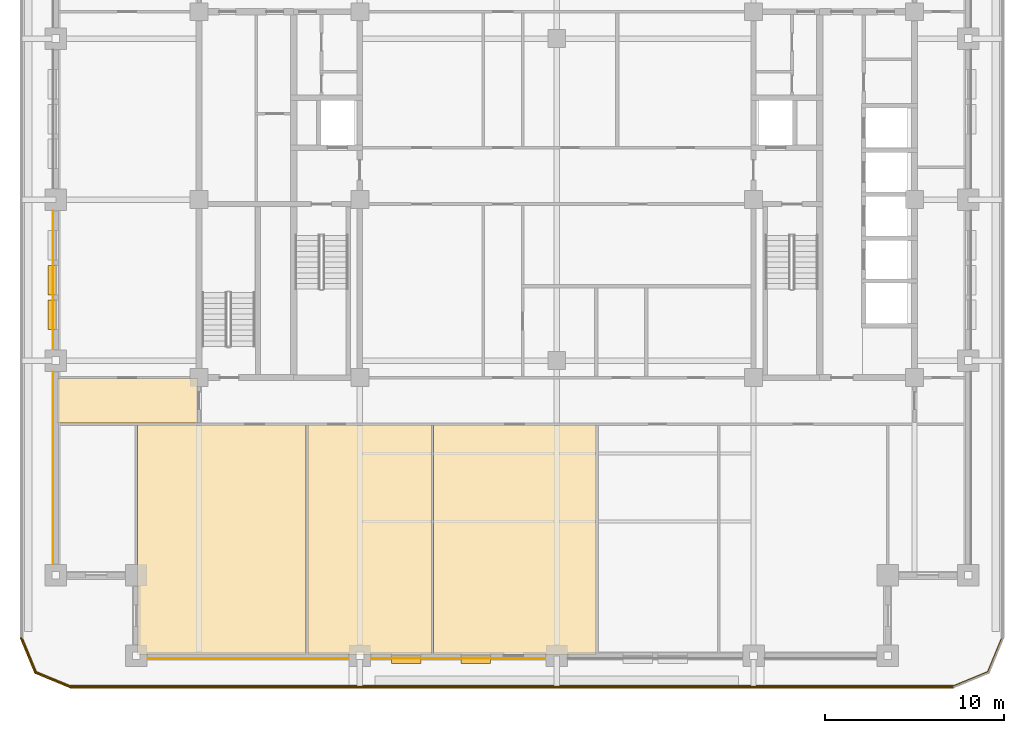
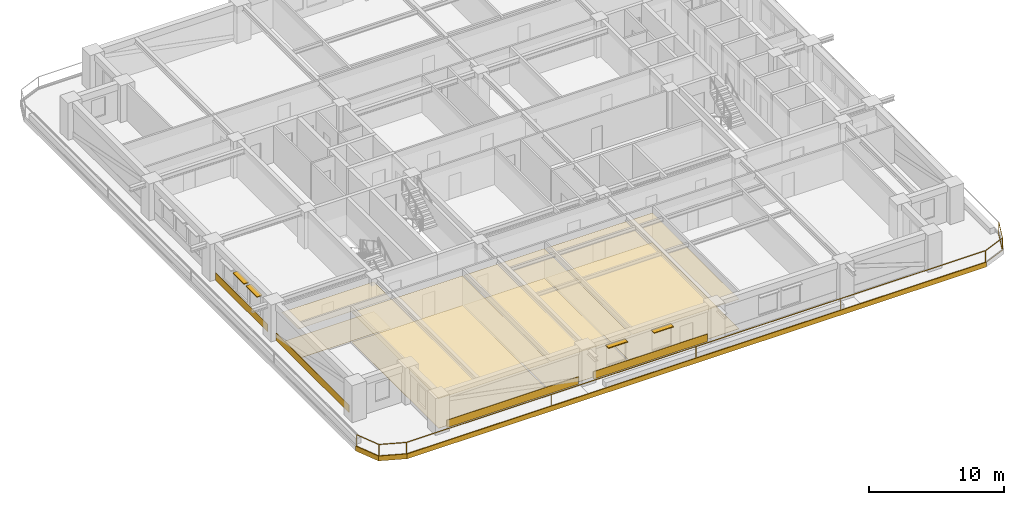
# One storey, part 8 of 15: 15 coverings, 4 shading devices, 1 railing.
"""IFC4 building model written with IfcOpenShell, lengths in metres."""

from ifc_helpers import new_model, si_unit, direction, frame, frame_2d, origin, origin_2d, place, context, subcontext, project, spatial, polyline, rectangle, outline, extrude, material, layer, layer_set, type_object, element, save


model = new_model("IFC4")

# Units and contexts
model_context = context("Model", 3, precision=1e-05, world=origin(), true_north=direction((0.0, 1.0)))
body_context = subcontext(model_context, "Body", "Model", "MODEL_VIEW")
ifc_project = project(units=[si_unit("LENGTHUNIT", "METRE"), si_unit("AREAUNIT", "SQUARE_METRE"), si_unit("VOLUMEUNIT", "CUBIC_METRE"), si_unit("PLANEANGLEUNIT", "RADIAN"), si_unit("MASSUNIT", "GRAM", prefix="KILO")], contexts=[model_context])

# Site, building, storey
site_placement = place(None, origin())
site = spatial("IfcSite", under=ifc_project, at=site_placement, CompositionType="ELEMENT")
building_placement = place(site_placement, origin())
building = spatial("IfcBuilding", under=site, at=building_placement, Name="Zulmaris Gate Convention Tower", CompositionType="ELEMENT")
storey_placement = place(building_placement, frame((0.0, 0.0, 132.059814453125)))
storey = spatial("IfcBuildingStorey", under=building, at=storey_placement, Name="L33", CompositionType="ELEMENT", Elevation=132.059814453125)

# Coverings
ifc_material_1 = material(Name="Precast concrete C40/50", Category="concrete")
ifc_layer_1 = layer(ifc_material_1, 0.0400390625, Name="Precast concrete C40/50")
ifc_layer_set_1 = layer_set([ifc_layer_1], Name="Precast concrete C40/50")
covering_type_1 = type_object("IfcCoveringType", Name="CLAD-SPANDREL-PRECAST", PredefinedType="CLADDING", material=ifc_layer_set_1)
covering_1_placement = place(storey_placement, frame((-22.8701171875, -25.64990234375, 0.0), z_axis=(0.0, 0.0, 1.0), x_axis=(1.0, 0.0, 0.0)))
element("IfcCovering", 1, at=covering_1_placement, inside=storey, type_object=covering_type_1, Name="CLD-L33-S-0_0", PredefinedType="CLADDING", context=body_context, shape_type="SweptSolid", body=[
    extrude(rectangle(XDim=11.240234375, YDim=0.0400390625, at=frame_2d((5.6201171875, 0.0))), origin(), (0.0, 0.0, 1.0), 0.679931640625),
])
covering_2_placement = place(storey_placement, frame((-10.3701171875, -25.64990234375, 0.0), z_axis=(0.0, 0.0, 1.0), x_axis=(1.0, 0.0, 0.0)))
element("IfcCovering", 2, at=covering_2_placement, inside=storey, type_object=covering_type_1, Name="CLD-L33-S-1_0", PredefinedType="CLADDING", context=body_context, shape_type="SweptSolid", body=[
    extrude(rectangle(XDim=9.740234375, YDim=0.0400390625, at=frame_2d((4.8701171875, 0.0))), origin(), (0.0, 0.0, 1.0), 0.679931640625),
])
covering_3_placement = place(storey_placement, frame((-28.14990234375, -9.6298828125, 0.0), z_axis=(0.0, 0.0, 1.0), x_axis=(0.0, -1.0, 0.0)))
element("IfcCovering", 3, at=covering_3_placement, inside=storey, type_object=covering_type_1, Name="CLD-L33-W-0_0", PredefinedType="CLADDING", context=body_context, shape_type="SweptSolid", body=[
    extrude(rectangle(XDim=10.740234375, YDim=0.0400390625, at=frame_2d((5.3701171875, 0.0))), origin(), (0.0, 0.0, 1.0), 0.679931640625),
])
covering_4_placement = place(storey_placement, frame((-28.14990234375, -0.6298828125, 0.0), z_axis=(0.0, 0.0, 1.0), x_axis=(0.0, -1.0, 0.0)))
element("IfcCovering", 4, at=covering_4_placement, inside=storey, type_object=covering_type_1, Name="CLD-L33-W-1_0", PredefinedType="CLADDING", context=body_context, shape_type="SweptSolid", body=[
    extrude(rectangle(XDim=7.740234375, YDim=0.0400390625, at=frame_2d((3.8701171875, 0.0))), origin(), (0.0, 0.0, 1.0), 0.679931640625),
])
ifc_material_2 = material(Name="White Glazed Architectural Precast Concrete C40/50", Category="concrete")
ifc_layer_2 = layer(ifc_material_2, 0.080078125, Name="White Glazed Architectural Precast Concrete C40/50")
ifc_layer_set_2 = layer_set([ifc_layer_2], Name="White Glazed Architectural Precast Concrete C40/50")
covering_type_2 = type_object("IfcCoveringType", Name="CLAD-TRAY-FASCIA", PredefinedType="CLADDING", material=ifc_layer_set_2)
covering_5_placement = place(storey_placement, frame((-29.962890625, -24.484619140625, -0.2900390625), z_axis=(0.0, 0.0, 1.0), x_axis=(0.382656984709, -0.923890487046, 0.0)))
element("IfcCovering", 5, at=covering_5_placement, inside=storey, type_object=covering_type_2, Name="FSC-L33-TR-00", PredefinedType="CLADDING", context=body_context, shape_type="SweptSolid", body=[
    extrude(rectangle(XDim=2.14306640625, YDim=0.080078125, at=frame_2d((1.071533203125, 0.0))), origin(), (0.0, 0.0, 1.0), 0.43994140625),
])
covering_6_placement = place(storey_placement, frame((-29.16455078125, -26.44287109375, -0.2900390625), z_axis=(0.0, 0.0, 1.0), x_axis=(0.923873803533, -0.382697263049, 0.0)))
element("IfcCovering", 6, at=covering_6_placement, inside=storey, type_object=covering_type_2, Name="FSC-L33-TR-01", PredefinedType="CLADDING", context=body_context, shape_type="SweptSolid", body=[
    extrude(rectangle(XDim=2.142822265625, YDim=0.080078125, at=frame_2d((1.0712890625, 0.0))), origin(), (0.0, 0.0, 1.0), 0.43994140625),
])
covering_7_placement = place(storey_placement, frame((-27.199951171875, -27.260009765625, -0.2900390625), z_axis=(0.0, 0.0, 1.0), x_axis=(1.0, 0.0, 0.0)))
element("IfcCovering", 7, at=covering_7_placement, inside=storey, type_object=covering_type_2, Name="FSC-L33-TR-02", PredefinedType="CLADDING", context=body_context, shape_type="SweptSolid", body=[
    extrude(rectangle(XDim=49.39990234375, YDim=0.080078125, at=frame_2d((24.699951171875, 0.0))), origin(), (0.0, 0.0, 1.0), 0.43994140625),
])
ifc_material_3 = material(Name="Mineral Fibre Acoustic Ceiling Tile")
ifc_layer_3 = layer(ifc_material_3, 0.02001953125, Name="Mineral Fibre Acoustic Ceiling Tile")
ifc_layer_set_3 = layer_set([ifc_layer_3], Name="Mineral Fibre Acoustic Ceiling Tile")
covering_type_3 = type_object("IfcCoveringType", Name="CLG-ACOUSTIC-600", PredefinedType="CEILING", material=ifc_layer_set_3)
covering_8_placement = place(storey_placement, frame((0.0, 0.0, 2.68017578125)))
element("IfcCovering", 8, at=covering_8_placement, inside=storey, type_object=covering_type_3, Name="CLG-L33-R40", PredefinedType="CEILING", context=body_context, shape_type="SweptSolid", body=[
    extrude(outline(polyline([(-23.43994140625, -25.43994140625), (-14.010009765625, -25.43994140625), (-14.010009765625, -12.610107421875), (-23.43994140625, -12.610107421875), (-23.43994140625, -25.43994140625)])), origin(), (0.0, 0.0, 1.0), 0.02001953125),
])
covering_9_placement = place(storey_placement, frame((0.0, 0.0, 2.68017578125)))
element("IfcCovering", 9, at=covering_9_placement, inside=storey, type_object=covering_type_3, Name="CLG-L33-R41", PredefinedType="CEILING", context=body_context, shape_type="SweptSolid", body=[
    extrude(outline(polyline([(-13.889892578125, -25.43994140625), (-7.010009765625, -25.43994140625), (-7.010009765625, -12.610107421875), (-13.889892578125, -12.610107421875), (-13.889892578125, -25.43994140625)])), origin(), (0.0, 0.0, 1.0), 0.02001953125),
])
covering_10_placement = place(storey_placement, frame((0.0, 0.0, 2.68017578125)))
element("IfcCovering", 10, at=covering_10_placement, inside=storey, type_object=covering_type_3, Name="CLG-L33-R42", PredefinedType="CEILING", context=body_context, shape_type="SweptSolid", body=[
    extrude(outline(polyline([(-6.889892578125, -25.43994140625), (2.18994140625, -25.43994140625), (2.18994140625, -12.610107421875), (-6.889892578125, -12.610107421875), (-6.889892578125, -25.43994140625)])), origin(), (0.0, 0.0, 1.0), 0.02001953125),
])
covering_11_placement = place(storey_placement, frame((0.0, 0.0, 2.68017578125)))
element("IfcCovering", 11, at=covering_11_placement, inside=storey, type_object=covering_type_3, Name="CLG-L33-R54", PredefinedType="CEILING", context=body_context, shape_type="SweptSolid", body=[
    extrude(outline(polyline([(-27.93994140625, -12.489990234375), (-20.06005859375, -12.489990234375), (-20.06005859375, -10.010009765625), (-27.93994140625, -10.010009765625), (-27.93994140625, -12.489990234375)])), origin(), (0.0, 0.0, 1.0), 0.02001953125),
])
ifc_material_4 = material(Name="Woven Acoustic Wool Carpet Tile")
ifc_layer_4 = layer(ifc_material_4, 0.02001953125, Name="Woven Acoustic Wool Carpet Tile")
ifc_layer_set_4 = layer_set([ifc_layer_4], Name="Woven Acoustic Wool Carpet Tile")
covering_type_4 = type_object("IfcCoveringType", Name="FLR-CARPET-12", PredefinedType="FLOORING", material=ifc_layer_set_4)
covering_12_placement = place(storey_placement, origin())
element("IfcCovering", 12, at=covering_12_placement, inside=storey, type_object=covering_type_4, Name="FLR-L33-R40", PredefinedType="FLOORING", context=body_context, shape_type="SweptSolid", body=[
    extrude(outline(polyline([(-23.43994140625, -25.43994140625), (-14.010009765625, -25.43994140625), (-14.010009765625, -12.610107421875), (-23.43994140625, -12.610107421875), (-23.43994140625, -25.43994140625)])), origin(), (0.0, 0.0, 1.0), 0.02001953125),
])
covering_13_placement = place(storey_placement, origin())
element("IfcCovering", 13, at=covering_13_placement, inside=storey, type_object=covering_type_4, Name="FLR-L33-R41", PredefinedType="FLOORING", context=body_context, shape_type="SweptSolid", body=[
    extrude(outline(polyline([(-13.889892578125, -25.43994140625), (-7.010009765625, -25.43994140625), (-7.010009765625, -12.610107421875), (-13.889892578125, -12.610107421875), (-13.889892578125, -25.43994140625)])), origin(), (0.0, 0.0, 1.0), 0.02001953125),
])
covering_14_placement = place(storey_placement, origin())
element("IfcCovering", 14, at=covering_14_placement, inside=storey, type_object=covering_type_4, Name="FLR-L33-R42", PredefinedType="FLOORING", context=body_context, shape_type="SweptSolid", body=[
    extrude(outline(polyline([(-6.889892578125, -25.43994140625), (2.18994140625, -25.43994140625), (2.18994140625, -12.610107421875), (-6.889892578125, -12.610107421875), (-6.889892578125, -25.43994140625)])), origin(), (0.0, 0.0, 1.0), 0.02001953125),
])
covering_15_placement = place(storey_placement, origin())
element("IfcCovering", 15, at=covering_15_placement, inside=storey, type_object=covering_type_4, Name="FLR-L33-R54", PredefinedType="FLOORING", context=body_context, shape_type="SweptSolid", body=[
    extrude(outline(polyline([(-27.93994140625, -12.489990234375), (-20.06005859375, -12.489990234375), (-20.06005859375, -10.010009765625), (-27.93994140625, -10.010009765625), (-27.93994140625, -12.489990234375)])), origin(), (0.0, 0.0, 1.0), 0.02001953125),
])

# Railing
ifc_material_5 = material(Name="Laminated Glass and Stainless Steel", Category="steel")
railing_type = type_object("IfcRailingType", Name="RL-BALC-1150", PredefinedType="BALUSTRADE", material=ifc_material_5)
railing_placement = place(storey_placement, frame((-29.8798828125, -24.5, -0.010009765625)))
element("IfcRailing", 16, at=railing_placement, inside=storey, type_object=railing_type, Name="RL-L33-BALC-S", PredefinedType="BALUSTRADE", context=body_context, shape_type="SweptSolid", body=[
    extrude(rectangle(XDim=0.048095703125, YDim=0.048095703125, at=origin_2d()), frame((0.0, 0.0, 1.1259765625), z_axis=(0.382670664694, -0.92388482095, 0.0), x_axis=(0.92388482095, 0.382670664694, 0.0)), (0.0, 0.0, 1.0), 2.051025390625),
    extrude(rectangle(XDim=0.048095703125, YDim=0.048095703125, at=origin_2d()), frame((0.0, 0.0, 0.02392578125), z_axis=(0.382670664694, -0.92388482095, 0.0), x_axis=(0.92388482095, 0.382670664694, 0.0)), (0.0, 0.0, 1.0), 2.051025390625),
    extrude(rectangle(XDim=0.048095703125, YDim=0.048095703125, at=origin_2d()), frame((0.784912109375, -1.89501953125, 1.1259765625), z_axis=(0.92388482095, -0.382670664694, 0.0), x_axis=(0.382670664694, 0.92388482095, 0.0)), (0.0, 0.0, 1.0), 2.051025390625),
    extrude(rectangle(XDim=0.048095703125, YDim=0.048095703125, at=origin_2d()), frame((0.784912109375, -1.89501953125, 0.02392578125), z_axis=(0.92388482095, -0.382670664694, 0.0), x_axis=(0.382670664694, 0.92388482095, 0.0)), (0.0, 0.0, 1.0), 2.051025390625),
    extrude(rectangle(XDim=0.048095703125, YDim=0.048095703125, at=origin_2d()), frame((2.679931640625, -2.679931640625, 1.1259765625), z_axis=(1.0, 0.0, 0.0), x_axis=(0.0, 1.0, 0.0)), (0.0, 0.0, 1.0), 49.39990234375),
    extrude(rectangle(XDim=0.048095703125, YDim=0.048095703125, at=origin_2d()), frame((2.679931640625, -2.679931640625, 0.02392578125), z_axis=(1.0, 0.0, 0.0), x_axis=(0.0, 1.0, 0.0)), (0.0, 0.0, 1.0), 49.39990234375),
    extrude(rectangle(XDim=0.048095703125, YDim=0.048095703125, at=origin_2d()), frame((52.079833984375, -2.679931640625, 1.1259765625), z_axis=(0.92388482095, 0.382670664694, 0.0), x_axis=(-0.382670664694, 0.92388482095, 0.0)), (0.0, 0.0, 1.0), 2.051025390625),
    extrude(rectangle(XDim=0.048095703125, YDim=0.048095703125, at=origin_2d()), frame((52.079833984375, -2.679931640625, 0.02392578125), z_axis=(0.92388482095, 0.382670664694, 0.0), x_axis=(-0.382670664694, 0.92388482095, 0.0)), (0.0, 0.0, 1.0), 2.051025390625),
    extrude(rectangle(XDim=0.048095703125, YDim=0.048095703125, at=origin_2d()), frame((53.974853515625, -1.89501953125, 1.1259765625), z_axis=(0.382670664694, 0.92388482095, 0.0), x_axis=(-0.92388482095, 0.382670664694, 0.0)), (0.0, 0.0, 1.0), 2.051025390625),
    extrude(rectangle(XDim=0.048095703125, YDim=0.048095703125, at=origin_2d()), frame((53.974853515625, -1.89501953125, 0.02392578125), z_axis=(0.382670664694, 0.92388482095, 0.0), x_axis=(-0.92388482095, 0.382670664694, 0.0)), (0.0, 0.0, 1.0), 2.051025390625),
    extrude(rectangle(XDim=0.0419921875, YDim=0.0419921875, at=origin_2d()), origin(), (0.0, 0.0, 1.0), 1.101806640625),
    extrude(rectangle(XDim=0.0419921875, YDim=0.0419921875, at=origin_2d()), frame((0.784912109375, -1.89501953125, 0.0)), (0.0, 0.0, 1.0), 1.101806640625),
    extrude(rectangle(XDim=0.0419921875, YDim=0.0419921875, at=origin_2d()), frame((2.679931640625, -2.679931640625, 0.0)), (0.0, 0.0, 1.0), 1.101806640625),
    extrude(rectangle(XDim=0.0419921875, YDim=0.0419921875, at=origin_2d()), frame((15.02978515625, -2.679931640625, 0.0)), (0.0, 0.0, 1.0), 1.101806640625),
    extrude(rectangle(XDim=0.0419921875, YDim=0.0419921875, at=origin_2d()), frame((27.3798828125, -2.679931640625, 0.0)), (0.0, 0.0, 1.0), 1.101806640625),
    extrude(rectangle(XDim=0.0419921875, YDim=0.0419921875, at=origin_2d()), frame((39.72998046875, -2.679931640625, 0.0)), (0.0, 0.0, 1.0), 1.101806640625),
    extrude(rectangle(XDim=0.0419921875, YDim=0.0419921875, at=origin_2d()), frame((52.079833984375, -2.679931640625, 0.0)), (0.0, 0.0, 1.0), 1.101806640625),
    extrude(rectangle(XDim=0.0419921875, YDim=0.0419921875, at=origin_2d()), frame((53.974853515625, -1.89501953125, 0.0)), (0.0, 0.0, 1.0), 1.101806640625),
    extrude(rectangle(XDim=0.0419921875, YDim=0.0419921875, at=origin_2d()), frame((54.759765625, 0.0, 0.0)), (0.0, 0.0, 1.0), 1.101806640625),
])

# Shading devices
ifc_material_6 = material(Name="Glazed Ceramic Terracotta", Category="masonry")
ifc_layer_5 = layer(ifc_material_6, 0.070068359375, Name="Glazed Ceramic Terracotta")
ifc_layer_set_5 = layer_set([ifc_layer_5], Name="Glazed Ceramic Terracotta")
shading_device_type = type_object("IfcShadingDeviceType", Name="SHD-SUNSHADE-TC", PredefinedType="AWNING", material=ifc_layer_set_5)
for number, where, z_axis, x_axis, name in (
    (17, (-9.2470703125, -25.719970703125, 2.530029296875), (0.0, 0.0, 1.0), (1.0, 0.0, 0.0), "SHD-EW-L33-S-1_0-1"),
    (18, (-5.35107421875, -25.719970703125, 2.530029296875), (0.0, 0.0, 1.0), (1.0, 0.0, 0.0), "SHD-EW-L33-S-1_0-3"),
):
    element("IfcShadingDevice", number, at=place(storey_placement, frame(where, z_axis=z_axis, x_axis=x_axis)), inside=storey, type_object=shading_device_type, Name=name, PredefinedType="AWNING", context=body_context, shape_type="SweptSolid", body=[
        extrude(rectangle(XDim=1.650146484375, YDim=0.43994140625, at=frame_2d((0.8251953125, 0.0))), origin(), (0.0, 0.0, 1.0), 0.070068359375),
    ])
for number, where, z_axis, x_axis, name in (
    (19, (-28.219970703125, -3.675048828125, 2.530029296875), (0.0, 0.0, 1.0), (0.0, -1.0, 0.0), "SHD-EW-L33-W-1_0-2"),
    (20, (-28.219970703125, -5.610107421875, 2.530029296875), (0.0, 0.0, 1.0), (0.0, -1.0, 0.0), "SHD-EW-L33-W-1_0-3"),
):
    element("IfcShadingDevice", number, at=place(storey_placement, frame(where, z_axis=z_axis, x_axis=x_axis)), inside=storey, type_object=shading_device_type, Name=name, PredefinedType="AWNING", context=body_context, shape_type="SweptSolid", body=[
        extrude(rectangle(XDim=1.64990234375, YDim=0.43994140625, at=frame_2d((0.824951171875, 0.0))), origin(), (0.0, 0.0, 1.0), 0.070068359375),
    ])

save(model, "model.ifc")
